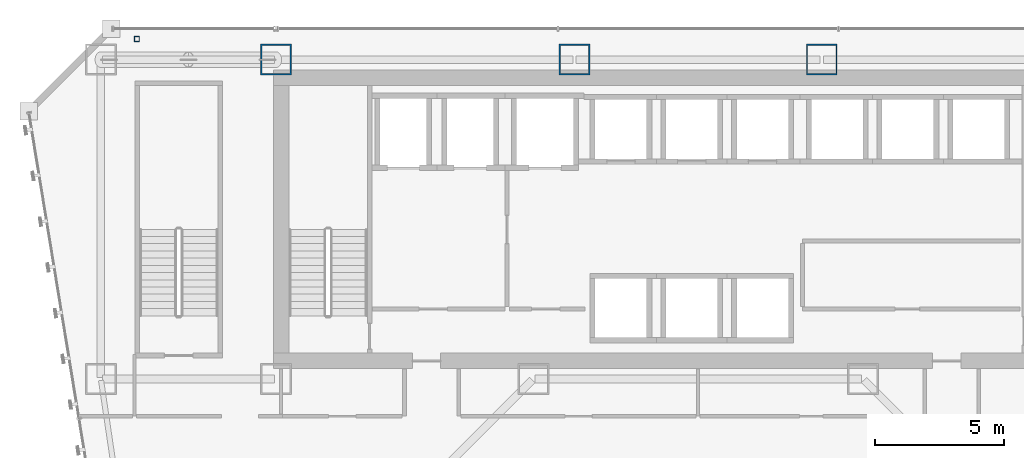
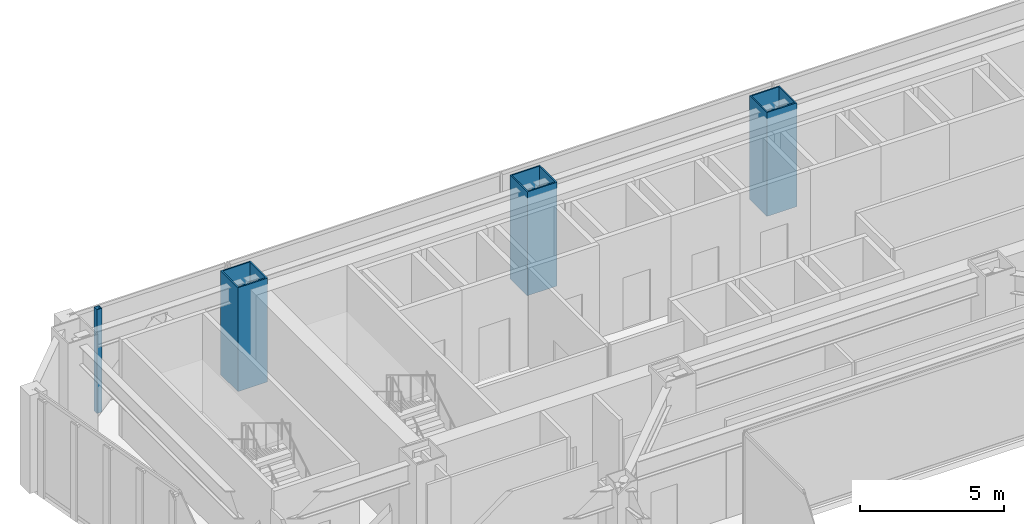
# One storey, part 2 of 47: 4 columns.
"""IFC4 building model written with IfcOpenShell, lengths in metres."""

from ifc_helpers import new_model, si_unit, direction, frame, origin, origin_2d, place, context, subcontext, project, spatial, hollow_rectangle, extrude, material, material_profile, profile_set, type_object, element, save


model = new_model("IFC4")

# Units and contexts
model_context = context("Model", 3, precision=1e-05, world=origin(), true_north=direction((0.0, 1.0)))
body_context = subcontext(model_context, "Body", "Model", "MODEL_VIEW")
ifc_project = project(units=[si_unit("LENGTHUNIT", "METRE"), si_unit("AREAUNIT", "SQUARE_METRE"), si_unit("VOLUMEUNIT", "CUBIC_METRE"), si_unit("PLANEANGLEUNIT", "RADIAN"), si_unit("MASSUNIT", "GRAM", prefix="KILO")], contexts=[model_context])

# Site, building, storey
site_placement = place(None, origin())
site = spatial("IfcSite", under=ifc_project, at=site_placement, CompositionType="ELEMENT")
building_placement = place(site_placement, origin())
building = spatial("IfcBuilding", under=site, at=building_placement, Name="Saevonmaru Cultural Tower", CompositionType="ELEMENT")
storey_placement = place(building_placement, frame((0.0, 0.0, 47.199951171875)))
storey = spatial("IfcBuildingStorey", under=building, at=storey_placement, Name="L09", CompositionType="ELEMENT", Elevation=47.199951171875)

# Columns
ifc_material_1 = material(Name="Steel HSA600 (600 MPa)", Category="steel")
ifc_material_profile_1 = material_profile(ifc_material_1, hollow_rectangle(XDim=1.199951171875, YDim=1.199951171875, WallThickness=0.054931640625, at=origin_2d()), Name="BOX-1200x1200x55")
ifc_profile_set_1 = profile_set([ifc_material_profile_1], Name="Steel HSA600 (600 MPa)")
column_type_1 = type_object("IfcColumnType", Name="COL-BOX-1200", PredefinedType="COLUMN", material=ifc_profile_set_1)
for number, where, z_axis, x_axis, name in (
    (1, (13.60009765625, 54.800048828125, 0.0), (0.0, 0.0, 1.0), (1.0, 0.0, 0.0), "L09 Column TC-N2N"),
    (2, (25.199951171875, 54.800048828125, 0.0), (0.0, 0.0, 1.0), (1.0, 0.0, 0.0), "L09 Column TC-N3N"),
    (3, (34.800048828125, 54.800048828125, 0.0), (0.0, 0.0, 1.0), (1.0, 0.0, 0.0), "L09 Column TC-N4N"),
):
    element("IfcColumn", number, at=place(storey_placement, frame(where, z_axis=z_axis, x_axis=x_axis)), inside=storey, type_object=column_type_1, Name=name, PredefinedType="COLUMN", context=body_context, shape_type="SweptSolid", body=[
        extrude(hollow_rectangle(XDim=1.199951171875, YDim=1.199951171875, WallThickness=0.054931640625, at=origin_2d()), origin(), (0.0, 0.0, 1.0), 4.400146484375),
    ])
ifc_material_2 = material(Name="Steel SM355", Category="steel")
ifc_material_profile_2 = material_profile(ifc_material_2, hollow_rectangle(XDim=0.199951171875, YDim=0.199951171875, WallThickness=0.010009765625, at=origin_2d()), Name="SHS-200x200x10")
ifc_profile_set_2 = profile_set([ifc_material_profile_2], Name="Steel SM355")
column_type_2 = type_object("IfcColumnType", Name="PIL-SHS-200", PredefinedType="PILASTER", material=ifc_profile_set_2)
column_placement = place(storey_placement, frame((8.199951171875, 55.60009765625, 0.0), z_axis=(0.0, 0.0, 1.0), x_axis=(1.0, 0.0, 0.0)))
element("IfcColumn", 4, at=column_placement, inside=storey, type_object=column_type_2, Name="L09 Art Deco Bronze-Clad Pilaster PIL-NW", PredefinedType="PILASTER", context=body_context, shape_type="SweptSolid", body=[
    extrude(hollow_rectangle(XDim=0.199951171875, YDim=0.199951171875, WallThickness=0.010009765625, at=origin_2d()), origin(), (0.0, 0.0, 1.0), 4.400146484375),
])

save(model, "model.ifc")
